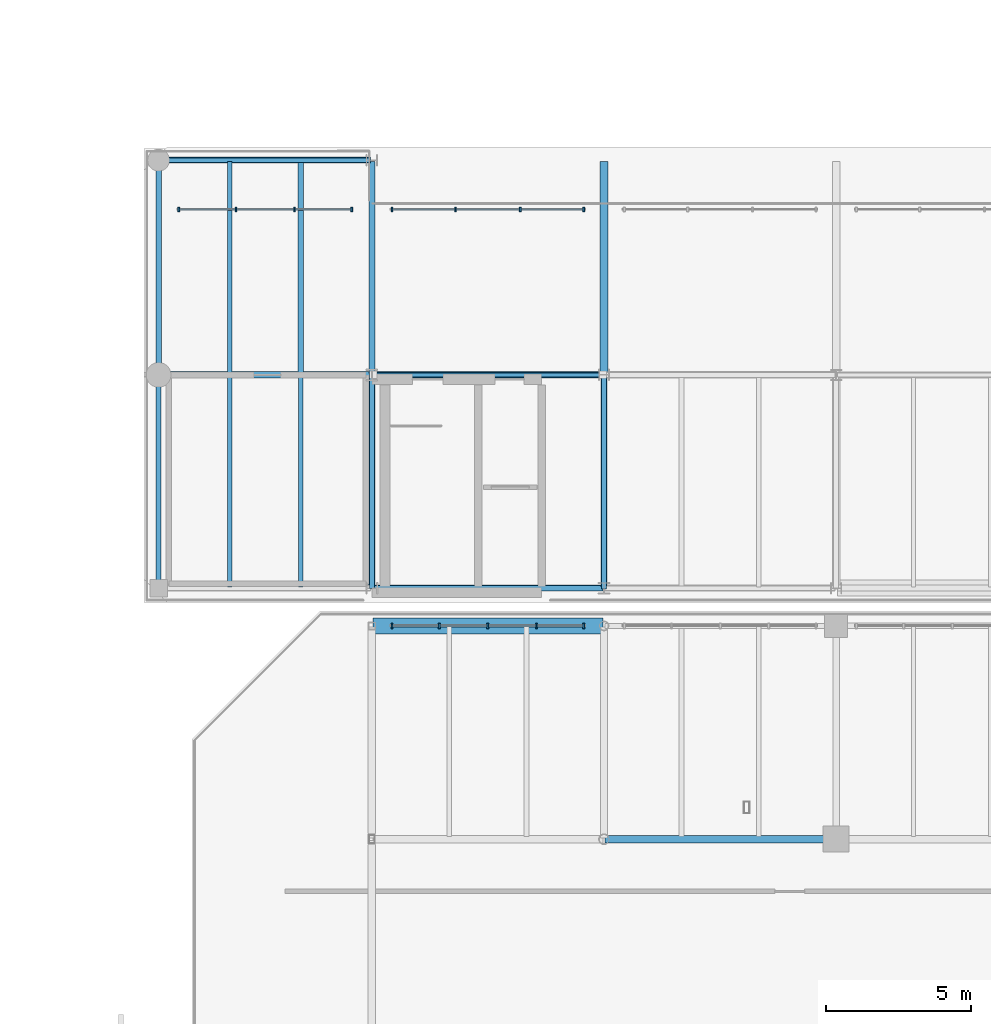
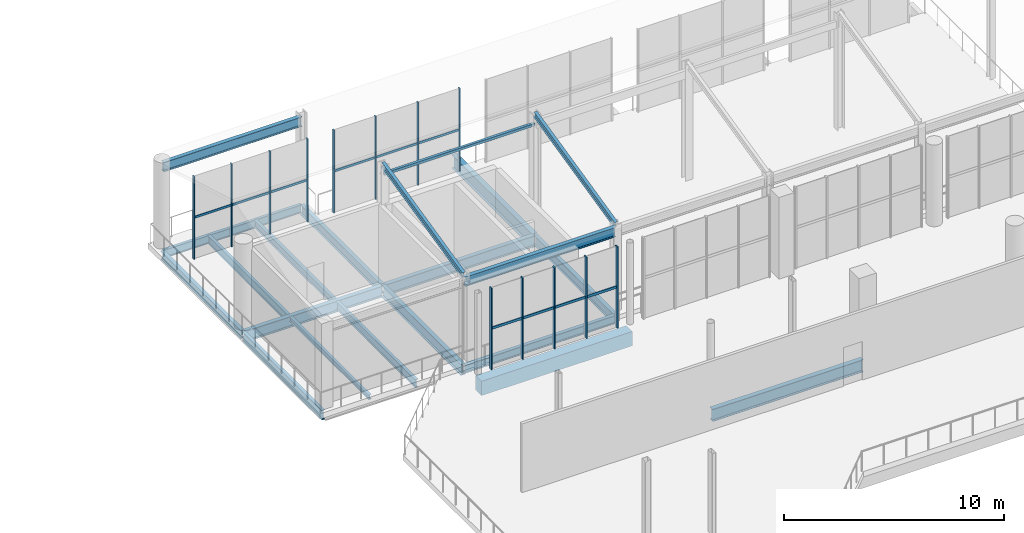
# One storey, part 32 of 70: 26 members, 18 beams, 3 elements without a shape of their own.
"""IFC4 building model written with IfcOpenShell, lengths in metres."""

from ifc_helpers import new_model, si_unit, direction, frame, origin, origin_2d, place, context, subcontext, project, spatial, rectangle, hollow_rectangle, i_section, extrude, material, material_profile, profile_set, type_object, element, aggregate, save


model = new_model("IFC4")

# Units and contexts
model_context = context("Model", 3, precision=1e-05, world=origin(), true_north=direction((0.0, 1.0)))
body_context = subcontext(model_context, "Body", "Model", "MODEL_VIEW")
ifc_project = project(units=[si_unit("LENGTHUNIT", "METRE"), si_unit("AREAUNIT", "SQUARE_METRE"), si_unit("VOLUMEUNIT", "CUBIC_METRE"), si_unit("PLANEANGLEUNIT", "RADIAN"), si_unit("MASSUNIT", "GRAM", prefix="KILO")], contexts=[model_context])

# Site, building, storey
site_placement = place(None, origin())
site = spatial("IfcSite", under=ifc_project, at=site_placement, CompositionType="ELEMENT")
building_placement = place(site_placement, origin())
building = spatial("IfcBuilding", under=site, at=building_placement, Name="Brisemont Oceanarium", CompositionType="ELEMENT")
storey_placement = place(building_placement, frame((0.0, 0.0, 10.199951171875)))
storey = spatial("IfcBuildingStorey", under=building, at=storey_placement, Name="L02", CompositionType="ELEMENT", Elevation=10.199951171875)

# Beams
ifc_material_1 = material(Name="Concrete C40/50", Category="concrete")
ifc_material_profile_1 = material_profile(ifc_material_1, rectangle(XDim=0.550048828125, YDim=0.800048828125, at=origin_2d()), Name="RC-BM-550X800")
ifc_profile_set_1 = profile_set([ifc_material_profile_1], Name="Concrete C40/50")
beam_type_1 = type_object("IfcBeamType", Name="BM-RC550X800", PredefinedType="SPANDREL", material=ifc_profile_set_1)
beam_1_placement = place(storey_placement, frame((64.0400390625, 79.35009765625, -0.699951171875), z_axis=(1.0, 0.0, 0.0), x_axis=(0.0, 1.0, 0.0)))
element("IfcBeam", 1, at=beam_1_placement, inside=storey, type_object=beam_type_1, Name="V1 L02 EW girder", PredefinedType="SPANDREL", context=body_context, shape_type="SweptSolid", body=[
    extrude(rectangle(XDim=0.550048828125, YDim=0.800048828125, at=origin_2d()), origin(), (0.0, 0.0, 1.0), 7.919921875),
])
ifc_material_2 = material(Name="Structural Steel ASTM A992 Gr.50", Category="steel")
ifc_material_profile_2 = material_profile(ifc_material_2, i_section(OverallWidth=0.14599609375, OverallDepth=0.259033203125, WebThickness=0.006103515625, FlangeThickness=0.009033203125, FilletRadius=0.008056640625, at=origin_2d()), Name="W10X22")
ifc_profile_set_2 = profile_set([ifc_material_profile_2], Name="Structural Steel ASTM A992 Gr.50")
beam_type_2 = type_object("IfcBeamType", Name="BM-W10X22", PredefinedType="LINTEL", material=ifc_profile_set_2)
beam_2_placement = place(storey_placement, frame((59.10009765625, 80.68994140625, -0.429443359375), z_axis=(0.0, 1.0, 0.0), x_axis=(-1.0, 0.0, 0.0)))
element("IfcBeam", 2, at=beam_2_placement, inside=storey, type_object=beam_type_2, Name="V7E L02 secondary floor beam", PredefinedType="LINTEL", context=body_context, shape_type="SweptSolid", body=[
    extrude(i_section(OverallWidth=0.14599609375, OverallDepth=0.259033203125, WebThickness=0.006103515625, FlangeThickness=0.009033203125, FilletRadius=0.008056640625, at=origin_2d()), origin(), (0.0, 0.0, 1.0), 7.219970703125),
])
ifc_material_3 = material(Name="Structural Steel ASTM A992 Gr.50", Category="steel")
ifc_material_profile_3 = material_profile(ifc_material_3, i_section(OverallWidth=0.177978515625, OverallDepth=0.404052734375, WebThickness=0.007568359375, FlangeThickness=0.010986328125, FilletRadius=0.010009765625, at=origin_2d()), Name="W16X36")
ifc_profile_set_3 = profile_set([ifc_material_profile_3], Name="Structural Steel ASTM A992 Gr.50")
beam_type_3 = type_object("IfcBeamType", Name="BM-W16X36", PredefinedType="JOIST", material=ifc_profile_set_3)
beam_3_placement = place(storey_placement, frame((61.550048828125, 88.090087890625, -0.501953125), z_axis=(0.0, 1.0, 0.0), x_axis=(-1.0, 0.0, 0.0)))
element("IfcBeam", 3, at=beam_3_placement, inside=storey, type_object=beam_type_3, Name="V7E L02 secondary floor beam", PredefinedType="JOIST", context=body_context, shape_type="SweptSolid", body=[
    extrude(i_section(OverallWidth=0.177978515625, OverallDepth=0.404052734375, WebThickness=0.007568359375, FlangeThickness=0.010986328125, FilletRadius=0.010009765625, at=origin_2d()), origin(), (0.0, 0.0, 1.0), 7.27001953125),
])
ifc_material_4 = material(Name="Structural Steel ASTM A992 Gr.50", Category="steel")
ifc_material_profile_4 = material_profile(ifc_material_4, i_section(OverallWidth=0.153076171875, OverallDepth=0.455078125, WebThickness=0.008056640625, FlangeThickness=0.01318359375, FilletRadius=0.010986328125, at=origin_2d()), Name="W18X40")
ifc_profile_set_4 = profile_set([ifc_material_profile_4], Name="Structural Steel ASTM A992 Gr.50")
beam_type_4 = type_object("IfcBeamType", Name="BM-W18X40", PredefinedType="JOIST", material=ifc_profile_set_4)
beam_4_placement = place(storey_placement, frame((61.550048828125, 80.68994140625, -0.52734375), z_axis=(0.0, 1.0, 0.0), x_axis=(-1.0, 0.0, 0.0)))
element("IfcBeam", 4, at=beam_4_placement, inside=storey, type_object=beam_type_4, Name="V7E L02 secondary floor beam", PredefinedType="JOIST", context=body_context, shape_type="SweptSolid", body=[
    extrude(i_section(OverallWidth=0.153076171875, OverallDepth=0.455078125, WebThickness=0.008056640625, FlangeThickness=0.01318359375, FilletRadius=0.010986328125, at=origin_2d()), origin(), (0.0, 0.0, 1.0), 7.219970703125),
])
beam_5_placement = place(storey_placement, frame((59.10009765625, 88.090087890625, -0.52734375), z_axis=(0.0, 1.0, 0.0), x_axis=(-1.0, 0.0, 0.0)))
element("IfcBeam", 5, at=beam_5_placement, inside=storey, type_object=beam_type_4, Name="V7E L02 secondary floor beam", PredefinedType="JOIST", context=body_context, shape_type="SweptSolid", body=[
    extrude(i_section(OverallWidth=0.153076171875, OverallDepth=0.455078125, WebThickness=0.008056640625, FlangeThickness=0.01318359375, FilletRadius=0.010986328125, at=origin_2d()), origin(), (0.0, 0.0, 1.0), 7.27001953125),
])
ifc_material_5 = material(Name="Structural Steel ASTM A992 Gr.50", Category="steel")
ifc_material_profile_5 = material_profile(ifc_material_5, i_section(OverallWidth=0.154052734375, OverallDepth=0.458984375, WebThickness=0.009033203125, FlangeThickness=0.015380859375, FilletRadius=0.010986328125, at=origin_2d()), Name="W18X46")
ifc_profile_set_5 = profile_set([ifc_material_profile_5], Name="Structural Steel ASTM A992 Gr.50")
beam_type_5 = type_object("IfcBeamType", Name="BM-W18X46", PredefinedType="SPANDREL", material=ifc_profile_set_5)
beam_6_placement = place(storey_placement, frame((56.68994140625, 95.39990234375, -0.529541015625), z_axis=(1.0, 0.0, 0.0), x_axis=(0.0, 1.0, 0.0)))
element("IfcBeam", 6, at=beam_6_placement, inside=storey, type_object=beam_type_5, Name="V7E L02 EW girder", PredefinedType="SPANDREL", context=body_context, shape_type="SweptSolid", body=[
    extrude(i_section(OverallWidth=0.154052734375, OverallDepth=0.458984375, WebThickness=0.009033203125, FlangeThickness=0.015380859375, FilletRadius=0.010986328125, at=origin_2d()), origin(), (0.0, 0.0, 1.0), 7.27001953125),
])
ifc_material_6 = material(Name="Structural Steel ASTM A992 Gr.50", Category="steel")
ifc_material_profile_6 = material_profile(ifc_material_6, i_section(OverallWidth=0.19091796875, OverallDepth=0.4599609375, WebThickness=0.010009765625, FlangeThickness=0.01611328125, FilletRadius=0.010986328125, at=origin_2d()), Name="W18X55")
ifc_profile_set_6 = profile_set([ifc_material_profile_6], Name="Structural Steel ASTM A992 Gr.50")
beam_type_6 = type_object("IfcBeamType", Name="BM-W18X55", PredefinedType="SPANDREL", material=ifc_profile_set_6)
beam_7_placement = place(storey_placement, frame((64.0400390625, 80.64990234375, -0.530029296875), z_axis=(1.0, 0.0, 0.0), x_axis=(0.0, 1.0, 0.0)))
element("IfcBeam", 7, at=beam_7_placement, inside=storey, type_object=beam_type_6, Name="V7E L02 EW girder", PredefinedType="SPANDREL", context=body_context, shape_type="SweptSolid", body=[
    extrude(i_section(OverallWidth=0.19091796875, OverallDepth=0.4599609375, WebThickness=0.010009765625, FlangeThickness=0.01611328125, FilletRadius=0.010986328125, at=origin_2d()), origin(), (0.0, 0.0, 1.0), 7.919921875),
])
beam_8_placement = place(storey_placement, frame((56.64990234375, 88.0400390625, -0.530029296875), z_axis=(0.0, 1.0, 0.0), x_axis=(-1.0, 0.0, 0.0)))
element("IfcBeam", 8, at=beam_8_placement, inside=storey, type_object=beam_type_6, Name="V7E L02 NS girder", PredefinedType="SPANDREL", context=body_context, shape_type="SweptSolid", body=[
    extrude(i_section(OverallWidth=0.19091796875, OverallDepth=0.4599609375, WebThickness=0.010009765625, FlangeThickness=0.01611328125, FilletRadius=0.010986328125, at=origin_2d()), origin(), (0.0, 0.0, 1.0), 7.320068359375),
])
ifc_material_7 = material(Name="Structural Steel ASTM A992 Gr.50", Category="steel")
ifc_material_profile_7 = material_profile(ifc_material_7, i_section(OverallWidth=0.166015625, OverallDepth=0.528076171875, WebThickness=0.009765625, FlangeThickness=0.013671875, FilletRadius=0.012939453125, at=origin_2d()), Name="W21X50")
ifc_profile_set_7 = profile_set([ifc_material_profile_7], Name="Structural Steel ASTM A992 Gr.50")
beam_type_7 = type_object("IfcBeamType", Name="BM-W21X50", PredefinedType="SPANDREL", material=ifc_profile_set_7)
beam_9_placement = place(storey_placement, frame((56.64990234375, 80.68994140625, -0.56396484375), z_axis=(0.0, 1.0, 0.0), x_axis=(-1.0, 0.0, 0.0)))
element("IfcBeam", 9, at=beam_9_placement, inside=storey, type_object=beam_type_7, Name="V7E L02 NS girder", PredefinedType="SPANDREL", context=body_context, shape_type="SweptSolid", body=[
    extrude(i_section(OverallWidth=0.166015625, OverallDepth=0.528076171875, WebThickness=0.009765625, FlangeThickness=0.013671875, FilletRadius=0.012939453125, at=origin_2d()), origin(), (0.0, 0.0, 1.0), 7.27001953125),
])
ifc_material_8 = material(Name="Structural Steel ASTM A992 Gr.50", Category="steel")
ifc_material_profile_8 = material_profile(ifc_material_8, i_section(OverallWidth=0.2099609375, OverallDepth=0.532958984375, WebThickness=0.01025390625, FlangeThickness=0.015625, FilletRadius=0.012939453125, at=origin_2d()), Name="W21X62")
ifc_profile_set_8 = profile_set([ifc_material_profile_8], Name="Structural Steel ASTM A992 Gr.50")
beam_type_8 = type_object("IfcBeamType", Name="BM-W21X62", PredefinedType="BEAM", material=ifc_profile_set_8)
beam_10_placement = place(storey_placement, frame((64.0, 88.0400390625, -0.56640625), z_axis=(0.0, 1.0, 0.0), x_axis=(-1.0, 0.0, 0.0)))
element("IfcBeam", 10, at=beam_10_placement, inside=storey, type_object=beam_type_8, Name="V7E L02 NS girder", PredefinedType="BEAM", context=body_context, shape_type="SweptSolid", body=[
    extrude(i_section(OverallWidth=0.2099609375, OverallDepth=0.532958984375, WebThickness=0.01025390625, FlangeThickness=0.015625, FilletRadius=0.012939453125, at=origin_2d()), origin(), (0.0, 0.0, 1.0), 7.320068359375),
])
beam_11_placement = place(storey_placement, frame((72.0, 80.68994140625, -0.56640625), z_axis=(0.0, 1.0, 0.0), x_axis=(-1.0, 0.0, 0.0)))
element("IfcBeam", 11, at=beam_11_placement, inside=storey, type_object=beam_type_8, Name="V7E L02 NS girder", PredefinedType="BEAM", context=body_context, shape_type="SweptSolid", body=[
    extrude(i_section(OverallWidth=0.2099609375, OverallDepth=0.532958984375, WebThickness=0.01025390625, FlangeThickness=0.015625, FilletRadius=0.012939453125, at=origin_2d()), origin(), (0.0, 0.0, 1.0), 7.27001953125),
])
beam_12_placement = place(storey_placement, frame((64.0400390625, 80.64990234375, 4.33349609375), z_axis=(1.0, 0.0, 0.0), x_axis=(0.0, 1.0, 0.0)))
element("IfcBeam", 12, at=beam_12_placement, inside=storey, type_object=beam_type_8, Name="V7E roof eave girder", PredefinedType="BEAM", context=body_context, shape_type="SweptSolid", body=[
    extrude(i_section(OverallWidth=0.2099609375, OverallDepth=0.532958984375, WebThickness=0.01025390625, FlangeThickness=0.015625, FilletRadius=0.012939453125, at=origin_2d()), origin(), (0.0, 0.0, 1.0), 7.919921875),
])
beam_13_placement = place(storey_placement, frame((56.68994140625, 95.39990234375, 4.33349609375), z_axis=(1.0, 0.0, 0.0), x_axis=(0.0, 1.0, 0.0)))
element("IfcBeam", 13, at=beam_13_placement, inside=storey, type_object=beam_type_8, Name="V7E roof eave girder", PredefinedType="BEAM", context=body_context, shape_type="SweptSolid", body=[
    extrude(i_section(OverallWidth=0.2099609375, OverallDepth=0.532958984375, WebThickness=0.01025390625, FlangeThickness=0.015625, FilletRadius=0.012939453125, at=origin_2d()), origin(), (0.0, 0.0, 1.0), 7.27001953125),
])
ifc_material_9 = material(Name="Structural Steel ASTM A992 Gr.50", Category="steel")
ifc_material_profile_9 = material_profile(ifc_material_9, i_section(OverallWidth=0.22802734375, OverallDepth=0.60205078125, WebThickness=0.010498046875, FlangeThickness=0.014892578125, FilletRadius=0.012939453125, at=origin_2d()), Name="W24X68")
ifc_profile_set_9 = profile_set([ifc_material_profile_9], Name="Structural Steel ASTM A992 Gr.50")
beam_type_9 = type_object("IfcBeamType", Name="BM-W24X68", PredefinedType="BEAM", material=ifc_profile_set_9)
beam_14_placement = place(storey_placement, frame((64.0, 80.68994140625, -0.600830078125), z_axis=(0.0, 1.0, 0.0), x_axis=(-1.0, 0.0, 0.0)))
element("IfcBeam", 14, at=beam_14_placement, inside=storey, type_object=beam_type_9, Name="V7E L02 NS girder", PredefinedType="BEAM", context=body_context, shape_type="SweptSolid", body=[
    extrude(i_section(OverallWidth=0.22802734375, OverallDepth=0.60205078125, WebThickness=0.010498046875, FlangeThickness=0.014892578125, FilletRadius=0.012939453125, at=origin_2d()), origin(), (0.0, 0.0, 1.0), 7.27001953125),
])
ifc_material_10 = material(Name="Structural Steel ASTM A992 Gr.50", Category="steel")
ifc_material_profile_10 = material_profile(ifc_material_10, i_section(OverallWidth=0.22802734375, OverallDepth=0.60791015625, WebThickness=0.01123046875, FlangeThickness=0.017333984375, FilletRadius=0.012939453125, at=origin_2d()), Name="W24X76")
ifc_profile_set_10 = profile_set([ifc_material_profile_10], Name="Structural Steel ASTM A992 Gr.50")
beam_type_10 = type_object("IfcBeamType", Name="BM-W24X76", PredefinedType="BEAM", material=ifc_profile_set_10)
beam_15_placement = place(storey_placement, frame((64.0400390625, 88.0, -0.60400390625), z_axis=(1.0, 0.0, 0.0), x_axis=(0.0, 1.0, 0.0)))
element("IfcBeam", 15, at=beam_15_placement, inside=storey, type_object=beam_type_10, Name="V7E L02 EW girder", PredefinedType="BEAM", context=body_context, shape_type="SweptSolid", body=[
    extrude(i_section(OverallWidth=0.22802734375, OverallDepth=0.60791015625, WebThickness=0.01123046875, FlangeThickness=0.017333984375, FilletRadius=0.012939453125, at=origin_2d()), origin(), (0.0, 0.0, 1.0), 7.919921875),
])
ifc_material_11 = material(Name="Structural Steel ASTM A992 Gr.50", Category="steel")
ifc_material_profile_11 = material_profile(ifc_material_11, i_section(OverallWidth=0.22900390625, OverallDepth=0.612060546875, WebThickness=0.011962890625, FlangeThickness=0.01953125, FilletRadius=0.012939453125, at=origin_2d()), Name="W24X84")
ifc_profile_set_11 = profile_set([ifc_material_profile_11], Name="Structural Steel ASTM A992 Gr.50")
beam_type_11 = type_object("IfcBeamType", Name="BM-W24X84", PredefinedType="BEAM", material=ifc_profile_set_11)
beam_16_placement = place(storey_placement, frame((56.68994140625, 88.0, -0.60595703125), z_axis=(1.0, 0.0, 0.0), x_axis=(0.0, 1.0, 0.0)))
element("IfcBeam", 16, at=beam_16_placement, inside=storey, type_object=beam_type_11, Name="V7E L02 EW girder", PredefinedType="BEAM", context=body_context, shape_type="SweptSolid", body=[
    extrude(i_section(OverallWidth=0.22900390625, OverallDepth=0.612060546875, WebThickness=0.011962890625, FlangeThickness=0.01953125, FilletRadius=0.012939453125, at=origin_2d()), origin(), (0.0, 0.0, 1.0), 7.27001953125),
])
ifc_material_12 = material(Name="Structural Steel ASTM A992 Gr.50", Category="steel")
ifc_material_profile_12 = material_profile(ifc_material_12, i_section(OverallWidth=0.25390625, OverallDepth=0.68310546875, WebThickness=0.012451171875, FlangeThickness=0.018798828125, FilletRadius=0.014892578125, at=origin_2d()), Name="W27X94")
ifc_profile_set_12 = profile_set([ifc_material_profile_12], Name="Structural Steel ASTM A992 Gr.50")
beam_type_12 = type_object("IfcBeamType", Name="BM-W27X94", PredefinedType="BEAM", material=ifc_profile_set_12)
beam_17_placement = place(storey_placement, frame((72.0400390625, 72.0, -0.641357421875), z_axis=(1.0, 0.0, 0.0), x_axis=(0.0, 1.0, 0.0)))
element("IfcBeam", 17, at=beam_17_placement, inside=storey, type_object=beam_type_12, Name="V1 L02 EW girder", PredefinedType="BEAM", context=body_context, shape_type="SweptSolid", body=[
    extrude(i_section(OverallWidth=0.25390625, OverallDepth=0.68310546875, WebThickness=0.012451171875, FlangeThickness=0.018798828125, FilletRadius=0.014892578125, at=origin_2d()), origin(), (0.0, 0.0, 1.0), 7.919921875),
])
ifc_material_13 = material(Name="Structural Steel ASTM A992 Gr.50", Category="steel")
ifc_material_profile_13 = material_profile(ifc_material_13, i_section(OverallWidth=0.26708984375, OverallDepth=0.761962890625, WebThickness=0.014404296875, FlangeThickness=0.021484375, FilletRadius=0.01611328125, at=origin_2d()), Name="W30X116")
ifc_profile_set_13 = profile_set([ifc_material_profile_13], Name="Structural Steel ASTM A992 Gr.50")
beam_type_13 = type_object("IfcBeamType", Name="BM-W30X116", PredefinedType="BEAM", material=ifc_profile_set_13)
beam_18_placement = place(storey_placement, frame((72.0, 88.0400390625, -0.680908203125), z_axis=(0.0, 1.0, 0.0), x_axis=(-1.0, 0.0, 0.0)))
element("IfcBeam", 18, at=beam_18_placement, inside=storey, type_object=beam_type_13, Name="V7E L02 NS girder", PredefinedType="BEAM", context=body_context, shape_type="SweptSolid", body=[
    extrude(i_section(OverallWidth=0.26708984375, OverallDepth=0.761962890625, WebThickness=0.014404296875, FlangeThickness=0.021484375, FilletRadius=0.01611328125, at=origin_2d()), origin(), (0.0, 0.0, 1.0), 7.320068359375),
])

# Curtain wall, members
ifc_material_14 = material(Name="Anodized Extruded Aluminum 6063-T6", Category="aluminium")
curtain_wall_type_1 = type_object("IfcCurtainWallType", Name="CW-CLR-48X34", PredefinedType="NOTDEFINED", material=ifc_material_14)
curtain_wall_1_placement = place(storey_placement, origin())
curtain_wall_1 = element("IfcCurtainWall", 19, at=curtain_wall_1_placement, inside=storey, type_object=curtain_wall_type_1, Name="CW-22 curtain wall CW-V7E-N-L02-01", PredefinedType="NOTDEFINED")
ifc_material_15 = material(Name="Anodized Extruded Aluminum 6063-T6", Category="aluminium")
ifc_material_profile_14 = material_profile(ifc_material_15, rectangle(XDim=0.06005859375, YDim=0.14990234375, at=origin_2d()), Name="CWM-60X150")
ifc_profile_set_14 = profile_set([ifc_material_profile_14], Name="Anodized Extruded Aluminum 6063-T6")
member_type_1 = type_object("IfcMemberType", Name="MEM-CWM-60", PredefinedType="MULLION", material=ifc_profile_set_14)
member_1_placement = place(storey_placement, frame((57.344970703125, 93.699951171875, 0.0), z_axis=(0.0, 0.0, 1.0), x_axis=(1.0, 0.0, 0.0)))
member_1 = element("IfcMember", 20, at=member_1_placement, type_object=member_type_1, Name="CW-V7E-N-L02-01 mullion 1", PredefinedType="MULLION", context=body_context, shape_type="SweptSolid", body=[
    extrude(rectangle(XDim=0.06005859375, YDim=0.14990234375, at=origin_2d()), origin(), (0.0, 0.0, 1.0), 4.60009765625),
])
member_2_placement = place(storey_placement, frame((59.316650390625, 93.699951171875, 0.0), z_axis=(0.0, 0.0, 1.0), x_axis=(1.0, 0.0, 0.0)))
member_2 = element("IfcMember", 21, at=member_2_placement, type_object=member_type_1, Name="CW-V7E-N-L02-01 mullion 2", PredefinedType="MULLION", context=body_context, shape_type="SweptSolid", body=[
    extrude(rectangle(XDim=0.06005859375, YDim=0.14990234375, at=origin_2d()), origin(), (0.0, 0.0, 1.0), 4.60009765625),
])
member_3_placement = place(storey_placement, frame((61.333251953125, 93.699951171875, 0.0), z_axis=(0.0, 0.0, 1.0), x_axis=(1.0, 0.0, 0.0)))
member_3 = element("IfcMember", 22, at=member_3_placement, type_object=member_type_1, Name="CW-V7E-N-L02-01 mullion 3", PredefinedType="MULLION", context=body_context, shape_type="SweptSolid", body=[
    extrude(rectangle(XDim=0.06005859375, YDim=0.14990234375, at=origin_2d()), origin(), (0.0, 0.0, 1.0), 4.60009765625),
])
member_4_placement = place(storey_placement, frame((63.304931640625, 93.699951171875, 0.0), z_axis=(0.0, 0.0, 1.0), x_axis=(1.0, 0.0, 0.0)))
member_4 = element("IfcMember", 23, at=member_4_placement, type_object=member_type_1, Name="CW-V7E-N-L02-01 mullion 4", PredefinedType="MULLION", context=body_context, shape_type="SweptSolid", body=[
    extrude(rectangle(XDim=0.06005859375, YDim=0.14990234375, at=origin_2d()), origin(), (0.0, 0.0, 1.0), 4.60009765625),
])

curtain_wall_2_placement = place(storey_placement, origin())
curtain_wall_2 = element("IfcCurtainWall", 24, at=curtain_wall_2_placement, inside=storey, type_object=curtain_wall_type_1, Name="CW-22 curtain wall CW-V7E-N-L02-02", PredefinedType="NOTDEFINED")
member_5_placement = place(storey_placement, frame((64.695068359375, 93.699951171875, 0.0), z_axis=(0.0, 0.0, 1.0), x_axis=(1.0, 0.0, 0.0)))
member_5 = element("IfcMember", 25, at=member_5_placement, type_object=member_type_1, Name="CW-V7E-N-L02-02 mullion 1", PredefinedType="MULLION", context=body_context, shape_type="SweptSolid", body=[
    extrude(rectangle(XDim=0.06005859375, YDim=0.14990234375, at=origin_2d()), origin(), (0.0, 0.0, 1.0), 4.60009765625),
])
member_6_placement = place(storey_placement, frame((66.88330078125, 93.699951171875, 0.0), z_axis=(0.0, 0.0, 1.0), x_axis=(1.0, 0.0, 0.0)))
member_6 = element("IfcMember", 26, at=member_6_placement, type_object=member_type_1, Name="CW-V7E-N-L02-02 mullion 2", PredefinedType="MULLION", context=body_context, shape_type="SweptSolid", body=[
    extrude(rectangle(XDim=0.06005859375, YDim=0.14990234375, at=origin_2d()), origin(), (0.0, 0.0, 1.0), 4.60009765625),
])
member_7_placement = place(storey_placement, frame((69.11669921875, 93.699951171875, 0.0), z_axis=(0.0, 0.0, 1.0), x_axis=(1.0, 0.0, 0.0)))
member_7 = element("IfcMember", 27, at=member_7_placement, type_object=member_type_1, Name="CW-V7E-N-L02-02 mullion 3", PredefinedType="MULLION", context=body_context, shape_type="SweptSolid", body=[
    extrude(rectangle(XDim=0.06005859375, YDim=0.14990234375, at=origin_2d()), origin(), (0.0, 0.0, 1.0), 4.60009765625),
])
member_8_placement = place(storey_placement, frame((71.304931640625, 93.699951171875, 0.0), z_axis=(0.0, 0.0, 1.0), x_axis=(1.0, 0.0, 0.0)))
member_8 = element("IfcMember", 28, at=member_8_placement, type_object=member_type_1, Name="CW-V7E-N-L02-02 mullion 4", PredefinedType="MULLION", context=body_context, shape_type="SweptSolid", body=[
    extrude(rectangle(XDim=0.06005859375, YDim=0.14990234375, at=origin_2d()), origin(), (0.0, 0.0, 1.0), 4.60009765625),
])

ifc_material_16 = material(Name="Anodized Extruded Aluminum 6063-T6", Category="aluminium")
curtain_wall_type_2 = type_object("IfcCurtainWallType", Name="CW-POR-69X44", PredefinedType="NOTDEFINED", material=ifc_material_16)
curtain_wall_3_placement = place(storey_placement, origin())
curtain_wall_3 = element("IfcCurtainWall", 29, at=curtain_wall_3_placement, inside=storey, type_object=curtain_wall_type_2, Name="CW-20 curtain wall CW-V1-N-L02-01", PredefinedType="NOTDEFINED")
ifc_material_17 = material(Name="Anodized Extruded Aluminum 6063-T6", Category="aluminium")
ifc_material_profile_15 = material_profile(ifc_material_17, rectangle(XDim=0.06494140625, YDim=0.179931640625, at=origin_2d()), Name="CWM-65X180")
ifc_profile_set_15 = profile_set([ifc_material_profile_15], Name="Anodized Extruded Aluminum 6063-T6")
member_type_2 = type_object("IfcMemberType", Name="MEM-CWM-65", PredefinedType="MULLION", material=ifc_profile_set_15)
member_9_placement = place(storey_placement, frame((64.695068359375, 79.35009765625, 0.0), z_axis=(0.0, 0.0, 1.0), x_axis=(1.0, 0.0, 0.0)))
member_9 = element("IfcMember", 30, at=member_9_placement, type_object=member_type_2, Name="CW-V1-N-L02-01 mullion 1", PredefinedType="MULLION", context=body_context, shape_type="SweptSolid", body=[
    extrude(rectangle(XDim=0.06494140625, YDim=0.179931640625, at=origin_2d()), origin(), (0.0, 0.0, 1.0), 4.52001953125),
])
member_10_placement = place(storey_placement, frame((66.324951171875, 79.35009765625, 0.0), z_axis=(0.0, 0.0, 1.0), x_axis=(1.0, 0.0, 0.0)))
member_10 = element("IfcMember", 31, at=member_10_placement, type_object=member_type_2, Name="CW-V1-N-L02-01 mullion 2", PredefinedType="MULLION", context=body_context, shape_type="SweptSolid", body=[
    extrude(rectangle(XDim=0.06494140625, YDim=0.179931640625, at=origin_2d()), origin(), (0.0, 0.0, 1.0), 4.52001953125),
])
member_11_placement = place(storey_placement, frame((68.0, 79.35009765625, 0.0), z_axis=(0.0, 0.0, 1.0), x_axis=(1.0, 0.0, 0.0)))
member_11 = element("IfcMember", 32, at=member_11_placement, type_object=member_type_2, Name="CW-V1-N-L02-01 mullion 3", PredefinedType="MULLION", context=body_context, shape_type="SweptSolid", body=[
    extrude(rectangle(XDim=0.06494140625, YDim=0.179931640625, at=origin_2d()), origin(), (0.0, 0.0, 1.0), 4.52001953125),
])
member_12_placement = place(storey_placement, frame((69.675048828125, 79.35009765625, 0.0), z_axis=(0.0, 0.0, 1.0), x_axis=(1.0, 0.0, 0.0)))
member_12 = element("IfcMember", 33, at=member_12_placement, type_object=member_type_2, Name="CW-V1-N-L02-01 mullion 4", PredefinedType="MULLION", context=body_context, shape_type="SweptSolid", body=[
    extrude(rectangle(XDim=0.06494140625, YDim=0.179931640625, at=origin_2d()), origin(), (0.0, 0.0, 1.0), 4.52001953125),
])
member_13_placement = place(storey_placement, frame((71.304931640625, 79.35009765625, 0.0), z_axis=(0.0, 0.0, 1.0), x_axis=(1.0, 0.0, 0.0)))
member_13 = element("IfcMember", 34, at=member_13_placement, type_object=member_type_2, Name="CW-V1-N-L02-01 mullion 5", PredefinedType="MULLION", context=body_context, shape_type="SweptSolid", body=[
    extrude(rectangle(XDim=0.06494140625, YDim=0.179931640625, at=origin_2d()), origin(), (0.0, 0.0, 1.0), 4.52001953125),
])

# Member
ifc_material_18 = material(Name="Anodized Extruded Aluminum 6063-T6", Category="aluminium")
ifc_material_profile_16 = material_profile(ifc_material_18, rectangle(XDim=0.06005859375, YDim=0.1201171875, at=origin_2d()), Name="CWT-60X120")
ifc_profile_set_16 = profile_set([ifc_material_profile_16], Name="Anodized Extruded Aluminum 6063-T6")
member_type_3 = type_object("IfcMemberType", Name="MEM-CWT-60", PredefinedType="USERDEFINED", material=ifc_profile_set_16)
member_14_placement = place(storey_placement, frame((57.31494140625, 93.699951171875, 2.300048828125), z_axis=(1.0, 0.0, 0.0), x_axis=(0.0, 1.0, 0.0)))
member_14 = element("IfcMember", 35, at=member_14_placement, type_object=member_type_3, Name="CW-V7E-N-L02-01 transom 1.1", ObjectType="TRANSOM", PredefinedType="USERDEFINED", context=body_context, shape_type="SweptSolid", body=[
    extrude(rectangle(XDim=0.06005859375, YDim=0.1201171875, at=origin_2d()), origin(), (0.0, 0.0, 1.0), 1.98681640625),
])

member_15_placement = place(storey_placement, frame((59.331787109375, 93.699951171875, 2.300048828125), z_axis=(1.0, 0.0, 0.0), x_axis=(0.0, 1.0, 0.0)))
member_15 = element("IfcMember", 36, at=member_15_placement, type_object=member_type_3, Name="CW-V7E-N-L02-01 transom 2.1", ObjectType="TRANSOM", PredefinedType="USERDEFINED", context=body_context, shape_type="SweptSolid", body=[
    extrude(rectangle(XDim=0.06005859375, YDim=0.1201171875, at=origin_2d()), origin(), (0.0, 0.0, 1.0), 1.986572265625),
])

member_16_placement = place(storey_placement, frame((61.348388671875, 93.699951171875, 2.300048828125), z_axis=(1.0, 0.0, 0.0), x_axis=(0.0, 1.0, 0.0)))
member_16 = element("IfcMember", 37, at=member_16_placement, type_object=member_type_3, Name="CW-V7E-N-L02-01 transom 3.1", ObjectType="TRANSOM", PredefinedType="USERDEFINED", context=body_context, shape_type="SweptSolid", body=[
    extrude(rectangle(XDim=0.06005859375, YDim=0.1201171875, at=origin_2d()), origin(), (0.0, 0.0, 1.0), 1.986572265625),
])

aggregate(curtain_wall_1, [member_1, member_2, member_3, member_4, member_14, member_15, member_16])

member_17_placement = place(storey_placement, frame((64.6650390625, 93.699951171875, 2.300048828125), z_axis=(1.0, 0.0, 0.0), x_axis=(0.0, 1.0, 0.0)))
member_17 = element("IfcMember", 38, at=member_17_placement, type_object=member_type_3, Name="CW-V7E-N-L02-02 transom 1.1", ObjectType="TRANSOM", PredefinedType="USERDEFINED", context=body_context, shape_type="SweptSolid", body=[
    extrude(rectangle(XDim=0.06005859375, YDim=0.1201171875, at=origin_2d()), origin(), (0.0, 0.0, 1.0), 2.203369140625),
])

member_18_placement = place(storey_placement, frame((66.898193359375, 93.699951171875, 2.300048828125), z_axis=(1.0, 0.0, 0.0), x_axis=(0.0, 1.0, 0.0)))
member_18 = element("IfcMember", 39, at=member_18_placement, type_object=member_type_3, Name="CW-V7E-N-L02-02 transom 2.1", ObjectType="TRANSOM", PredefinedType="USERDEFINED", context=body_context, shape_type="SweptSolid", body=[
    extrude(rectangle(XDim=0.06005859375, YDim=0.1201171875, at=origin_2d()), origin(), (0.0, 0.0, 1.0), 2.20361328125),
])

member_19_placement = place(storey_placement, frame((69.131591796875, 93.699951171875, 2.300048828125), z_axis=(1.0, 0.0, 0.0), x_axis=(0.0, 1.0, 0.0)))
member_19 = element("IfcMember", 40, at=member_19_placement, type_object=member_type_3, Name="CW-V7E-N-L02-02 transom 3.1", ObjectType="TRANSOM", PredefinedType="USERDEFINED", context=body_context, shape_type="SweptSolid", body=[
    extrude(rectangle(XDim=0.06005859375, YDim=0.1201171875, at=origin_2d()), origin(), (0.0, 0.0, 1.0), 2.203369140625),
])

aggregate(curtain_wall_2, [member_5, member_6, member_7, member_8, member_17, member_18, member_19])

ifc_material_19 = material(Name="Anodized Extruded Aluminum 6063-T6", Category="aluminium")
ifc_material_profile_17 = material_profile(ifc_material_19, rectangle(XDim=0.06494140625, YDim=0.139892578125, at=origin_2d()), Name="CWT-65X140")
ifc_profile_set_17 = profile_set([ifc_material_profile_17], Name="Anodized Extruded Aluminum 6063-T6")
member_type_4 = type_object("IfcMemberType", Name="MEM-CWT-65", PredefinedType="USERDEFINED", material=ifc_profile_set_17)
member_20_placement = place(storey_placement, frame((64.6650390625, 79.35009765625, 2.260009765625), z_axis=(1.0, 0.0, 0.0), x_axis=(0.0, 1.0, 0.0)))
member_20 = element("IfcMember", 41, at=member_20_placement, type_object=member_type_4, Name="CW-V1-N-L02-01 transom 1.1", ObjectType="TRANSOM", PredefinedType="USERDEFINED", context=body_context, shape_type="SweptSolid", body=[
    extrude(rectangle(XDim=0.06494140625, YDim=0.139892578125, at=origin_2d()), origin(), (0.0, 0.0, 1.0), 1.64501953125),
])

member_21_placement = place(storey_placement, frame((66.340087890625, 79.35009765625, 2.260009765625), z_axis=(1.0, 0.0, 0.0), x_axis=(0.0, 1.0, 0.0)))
member_21 = element("IfcMember", 42, at=member_21_placement, type_object=member_type_4, Name="CW-V1-N-L02-01 transom 2.1", ObjectType="TRANSOM", PredefinedType="USERDEFINED", context=body_context, shape_type="SweptSolid", body=[
    extrude(rectangle(XDim=0.06494140625, YDim=0.139892578125, at=origin_2d()), origin(), (0.0, 0.0, 1.0), 1.64501953125),
])

member_22_placement = place(storey_placement, frame((68.014892578125, 79.35009765625, 2.260009765625), z_axis=(1.0, 0.0, 0.0), x_axis=(0.0, 1.0, 0.0)))
member_22 = element("IfcMember", 43, at=member_22_placement, type_object=member_type_4, Name="CW-V1-N-L02-01 transom 3.1", ObjectType="TRANSOM", PredefinedType="USERDEFINED", context=body_context, shape_type="SweptSolid", body=[
    extrude(rectangle(XDim=0.06494140625, YDim=0.139892578125, at=origin_2d()), origin(), (0.0, 0.0, 1.0), 1.64501953125),
])

member_23_placement = place(storey_placement, frame((69.68994140625, 79.35009765625, 2.260009765625), z_axis=(1.0, 0.0, 0.0), x_axis=(0.0, 1.0, 0.0)))
member_23 = element("IfcMember", 44, at=member_23_placement, type_object=member_type_4, Name="CW-V1-N-L02-01 transom 4.1", ObjectType="TRANSOM", PredefinedType="USERDEFINED", context=body_context, shape_type="SweptSolid", body=[
    extrude(rectangle(XDim=0.06494140625, YDim=0.139892578125, at=origin_2d()), origin(), (0.0, 0.0, 1.0), 1.64501953125),
])

aggregate(curtain_wall_3, [member_9, member_10, member_11, member_12, member_13, member_20, member_21, member_22, member_23])

# Members
ifc_material_20 = material(Name="Structural Steel ASTM A500 Gr.C", Category="steel")
ifc_material_profile_18 = material_profile(ifc_material_20, hollow_rectangle(XDim=0.152099609375, YDim=0.152099609375, WallThickness=0.0087890625, InnerFilletRadius=0.009033203125, OuterFilletRadius=0.01806640625, at=origin_2d()), Name="HSS6X6X3/8")
ifc_profile_set_18 = profile_set([ifc_material_profile_18], Name="Structural Steel ASTM A500 Gr.C")
member_type_5 = type_object("IfcMemberType", Name="MEM-PU-HSS6X6", PredefinedType="PURLIN", material=ifc_profile_set_18)
member_24_placement = place(storey_placement, frame((64.0400390625, 88.0, 5.830078125), z_axis=(1.0, 0.0, 0.0), x_axis=(0.0, 1.0, 0.0)))
element("IfcMember", 45, at=member_24_placement, inside=storey, type_object=member_type_5, Name="V7E ridge purlin 1", PredefinedType="PURLIN", context=body_context, shape_type="SweptSolid", body=[
    extrude(hollow_rectangle(XDim=0.152099609375, YDim=0.152099609375, WallThickness=0.0087890625, InnerFilletRadius=0.009033203125, OuterFilletRadius=0.01806640625, at=origin_2d()), origin(), (0.0, 0.0, 1.0), 7.919921875),
])
ifc_material_21 = material(Name="Structural Steel ASTM A992 Gr.50", Category="steel")
ifc_material_profile_19 = material_profile(ifc_material_21, i_section(OverallWidth=0.1650390625, OverallDepth=0.31005859375, WebThickness=0.005859375, FlangeThickness=0.009765625, FilletRadius=0.008056640625, at=origin_2d()), Name="W12X26")
ifc_profile_set_19 = profile_set([ifc_material_profile_19], Name="Structural Steel ASTM A992 Gr.50")
member_type_6 = type_object("IfcMemberType", Name="MEM-RF-W12X26", PredefinedType="RAFTER", material=ifc_profile_set_19)
for number, where, z_axis, x_axis, name in (
    (46, (64.0, 80.64990234375, 4.679931640625), (0.0, 0.974274344973, 0.225365260692), (-1.0, 0.0, 0.0), "V7E pitched roof rafter 1A"),
    (47, (72.0, 80.64990234375, 4.679931640625), (0.0, 0.974274344973, 0.225365260692), (-1.0, 0.0, 0.0), "V7E pitched roof rafter 2A"),
):
    element("IfcMember", number, at=place(storey_placement, frame(where, z_axis=z_axis, x_axis=x_axis)), inside=storey, type_object=member_type_6, Name=name, PredefinedType="RAFTER", context=body_context, shape_type="SweptSolid", body=[
        extrude(i_section(OverallWidth=0.1650390625, OverallDepth=0.31005859375, WebThickness=0.005859375, FlangeThickness=0.009765625, FilletRadius=0.008056640625, at=origin_2d()), origin(), (0.0, 0.0, 1.0), 7.544189453125),
    ])

save(model, "model.ifc")
